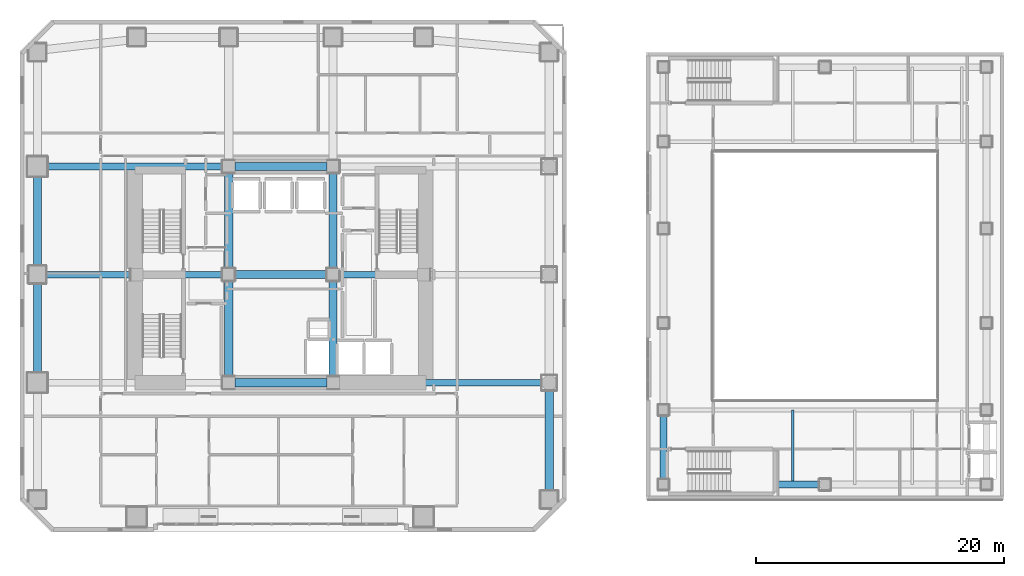
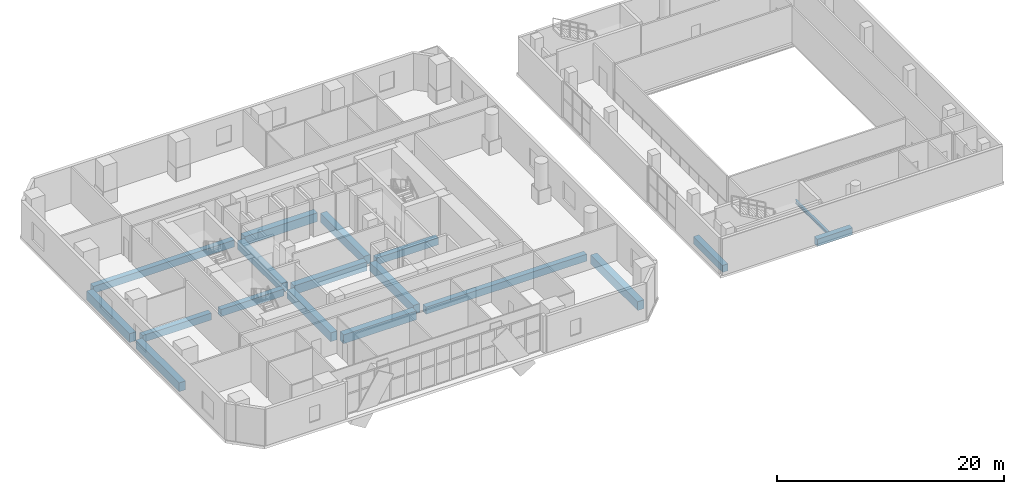
# One storey, part 5 of 20: 18 beams.
"""IFC4 building model written with IfcOpenShell, lengths in metres."""

from ifc_helpers import new_model, si_unit, direction, frame, origin, origin_2d, place, context, subcontext, project, spatial, rectangle, i_section, extrude, material, material_profile, profile_set, type_object, element, save


model = new_model("IFC4")

# Units and contexts
model_context = context("Model", 3, precision=1e-05, world=origin(), true_north=direction((0.0, 1.0)))
body_context = subcontext(model_context, "Body", "Model", "MODEL_VIEW")
ifc_project = project(units=[si_unit("LENGTHUNIT", "METRE"), si_unit("AREAUNIT", "SQUARE_METRE"), si_unit("VOLUMEUNIT", "CUBIC_METRE"), si_unit("PLANEANGLEUNIT", "RADIAN"), si_unit("MASSUNIT", "GRAM", prefix="KILO")], contexts=[model_context])

# Site, building, storey
site_placement = place(None, origin())
site = spatial("IfcSite", under=ifc_project, at=site_placement, CompositionType="ELEMENT")
building_placement = place(site_placement, origin())
building = spatial("IfcBuilding", under=site, at=building_placement, Name="Solanera Arch Residences", CompositionType="ELEMENT")
storey_placement = place(building_placement, frame((0.0, 0.0, 9.39990234375)))
storey = spatial("IfcBuildingStorey", under=building, at=storey_placement, Name="L02", CompositionType="ELEMENT", Elevation=9.39990234375)

# Beams
ifc_material_1 = material(Name="Concrete C40/50 (f'c = 45 MPa)", Category="concrete")
ifc_material_profile_1 = material_profile(ifc_material_1, rectangle(XDim=0.550048828125, YDim=0.75, at=origin_2d()))
ifc_profile_set_1 = profile_set([ifc_material_profile_1], Name="Concrete C40/50 (f'c = 45 MPa)")
beam_type_1 = type_object("IfcBeamType", Name="Primary Beam RC-BM-550X750", PredefinedType="BEAM", material=ifc_profile_set_1)
beam_1_placement = place(storey_placement, frame((29.7041015625, 22.0, -0.65478515625), z_axis=(1.0, 0.0, 0.0), x_axis=(0.0, 1.0, 0.0)))
element("IfcBeam", 1, at=beam_1_placement, inside=storey, type_object=beam_type_1, Name="BM-L02-POD-RE-22", PredefinedType="BEAM", context=body_context, shape_type="SweptSolid", body=[
    extrude(rectangle(XDim=0.550048828125, YDim=0.75, at=origin_2d()), origin(), (0.0, 0.0, 1.0), 16.35595703125),
])
beam_2_placement = place(storey_placement, frame((5.93994140625, 30.699951171875, -0.65478515625), z_axis=(1.0, 0.0, 0.0), x_axis=(0.0, 1.0, 0.0)))
element("IfcBeam", 2, at=beam_2_placement, inside=storey, type_object=beam_type_1, Name="BM-L02-POD-RW-30", PredefinedType="BEAM", context=body_context, shape_type="SweptSolid", body=[
    extrude(rectangle(XDim=0.550048828125, YDim=0.75, at=origin_2d()), origin(), (0.0, 0.0, 1.0), 6.9560546875),
])
beam_3_placement = place(storey_placement, frame((5.93994140625, 39.39990234375, -0.65478515625), z_axis=(1.0, 0.0, 0.0), x_axis=(0.0, 1.0, 0.0)))
element("IfcBeam", 3, at=beam_3_placement, inside=storey, type_object=beam_type_1, Name="BM-L02-POD-RW-39", PredefinedType="BEAM", context=body_context, shape_type="SweptSolid", body=[
    extrude(rectangle(XDim=0.550048828125, YDim=0.75, at=origin_2d()), origin(), (0.0, 0.0, 1.0), 14.35595703125),
])
beam_4_placement = place(storey_placement, frame((13.904052734375, 30.699951171875, -0.65478515625), z_axis=(1.0, 0.0, 0.0), x_axis=(0.0, 1.0, 0.0)))
element("IfcBeam", 4, at=beam_4_placement, inside=storey, type_object=beam_type_1, Name="BM-L02-HCCW", PredefinedType="BEAM", context=body_context, shape_type="SweptSolid", body=[
    extrude(rectangle(XDim=0.550048828125, YDim=0.75, at=origin_2d()), origin(), (0.0, 0.0, 1.0), 6.391845703125),
])
beam_5_placement = place(storey_placement, frame((29.7041015625, 30.699951171875, -0.65478515625), z_axis=(1.0, 0.0, 0.0), x_axis=(0.0, 1.0, 0.0)))
element("IfcBeam", 5, at=beam_5_placement, inside=storey, type_object=beam_type_1, Name="BM-L02-HCCE", PredefinedType="BEAM", context=body_context, shape_type="SweptSolid", body=[
    extrude(rectangle(XDim=0.550048828125, YDim=0.75, at=origin_2d()), origin(), (0.0, 0.0, 1.0), 6.2919921875),
])
beam_6_placement = place(storey_placement, frame((55.800048828125, 14.22509765625, -0.65478515625), z_axis=(0.0, 1.0, 0.0), x_axis=(-1.0, 0.0, 0.0)))
element("IfcBeam", 6, at=beam_6_placement, inside=storey, type_object=beam_type_1, Name="BM-L02-HW-1", PredefinedType="BEAM", context=body_context, shape_type="SweptSolid", body=[
    extrude(rectangle(XDim=0.550048828125, YDim=0.75, at=origin_2d()), origin(), (0.0, 0.0, 1.0), 5.14990234375),
])
beam_7_placement = place(storey_placement, frame((64.760009765625, 13.800048828125, -0.65478515625), z_axis=(1.0, 0.0, 0.0), x_axis=(0.0, 1.0, 0.0)))
element("IfcBeam", 7, at=beam_7_placement, inside=storey, type_object=beam_type_1, Name="BM-L02-HS-1", PredefinedType="BEAM", context=body_context, shape_type="SweptSolid", body=[
    extrude(rectangle(XDim=0.550048828125, YDim=0.75, at=origin_2d()), origin(), (0.0, 0.0, 1.0), 3.590087890625),
])
ifc_material_2 = material(Name="Concrete C40/50 (f'c = 45 MPa)", Category="concrete")
ifc_material_profile_2 = material_profile(ifc_material_2, rectangle(XDim=0.64990234375, YDim=0.949951171875, at=origin_2d()))
ifc_profile_set_2 = profile_set([ifc_material_profile_2], Name="Concrete C40/50 (f'c = 45 MPa)")
beam_type_2 = type_object("IfcBeamType", Name="Primary Beam RC-BM-650X950", PredefinedType="BEAM", material=ifc_profile_set_2)
beam_8_placement = place(storey_placement, frame((5.39990234375, 22.5400390625, -0.7548828125), z_axis=(0.0, 1.0, 0.0), x_axis=(-1.0, 0.0, 0.0)))
element("IfcBeam", 8, at=beam_8_placement, inside=storey, type_object=beam_type_2, Name="BM-L02-POD-W2", PredefinedType="BEAM", context=body_context, shape_type="SweptSolid", body=[
    extrude(rectangle(XDim=0.64990234375, YDim=0.949951171875, at=origin_2d()), origin(), (0.0, 0.0, 1.0), 7.619873046875),
])
beam_9_placement = place(storey_placement, frame((5.39990234375, 31.239990234375, -0.7548828125), z_axis=(0.0, 1.0, 0.0), x_axis=(-1.0, 0.0, 0.0)))
element("IfcBeam", 9, at=beam_9_placement, inside=storey, type_object=beam_type_2, Name="BM-L02-POD-W3", PredefinedType="BEAM", context=body_context, shape_type="SweptSolid", body=[
    extrude(rectangle(XDim=0.64990234375, YDim=0.949951171875, at=origin_2d()), origin(), (0.0, 0.0, 1.0), 7.6201171875),
])
beam_10_placement = place(storey_placement, frame((46.60009765625, 13.139892578125, -0.7548828125), z_axis=(0.0, 1.0, 0.0), x_axis=(-1.0, 0.0, 0.0)))
element("IfcBeam", 10, at=beam_10_placement, inside=storey, type_object=beam_type_2, Name="BM-L02-POD-E1", PredefinedType="BEAM", context=body_context, shape_type="SweptSolid", body=[
    extrude(rectangle(XDim=0.64990234375, YDim=0.949951171875, at=origin_2d()), origin(), (0.0, 0.0, 1.0), 8.320068359375),
])
beam_11_placement = place(storey_placement, frame((20.800048828125, 22.50390625, -0.7548828125), z_axis=(0.0, 1.0, 0.0), x_axis=(-1.0, 0.0, 0.0)))
element("IfcBeam", 11, at=beam_11_placement, inside=storey, type_object=beam_type_2, Name="BM-L02-HCNS-20", PredefinedType="BEAM", context=body_context, shape_type="SweptSolid", body=[
    extrude(rectangle(XDim=0.64990234375, YDim=0.949951171875, at=origin_2d()), origin(), (0.0, 0.0, 1.0), 7.692138671875),
])
beam_12_placement = place(storey_placement, frame((20.800048828125, 31.2041015625, -0.7548828125), z_axis=(0.0, 1.0, 0.0), x_axis=(-1.0, 0.0, 0.0)))
element("IfcBeam", 12, at=beam_12_placement, inside=storey, type_object=beam_type_2, Name="BM-L02-HCNN-20", PredefinedType="BEAM", context=body_context, shape_type="SweptSolid", body=[
    extrude(rectangle(XDim=0.64990234375, YDim=0.949951171875, at=origin_2d()), origin(), (0.0, 0.0, 1.0), 7.69189453125),
])
beam_13_placement = place(storey_placement, frame((29.199951171875, 22.50390625, -0.7548828125), z_axis=(0.0, 1.0, 0.0), x_axis=(-1.0, 0.0, 0.0)))
element("IfcBeam", 13, at=beam_13_placement, inside=storey, type_object=beam_type_2, Name="BM-L02-HCNS-29", PredefinedType="BEAM", context=body_context, shape_type="SweptSolid", body=[
    extrude(rectangle(XDim=0.64990234375, YDim=0.949951171875, at=origin_2d()), origin(), (0.0, 0.0, 1.0), 7.692138671875),
])
beam_14_placement = place(storey_placement, frame((29.199951171875, 31.2041015625, -0.7548828125), z_axis=(0.0, 1.0, 0.0), x_axis=(-1.0, 0.0, 0.0)))
element("IfcBeam", 14, at=beam_14_placement, inside=storey, type_object=beam_type_2, Name="BM-L02-HCNN-29", PredefinedType="BEAM", context=body_context, shape_type="SweptSolid", body=[
    extrude(rectangle(XDim=0.64990234375, YDim=0.949951171875, at=origin_2d()), origin(), (0.0, 0.0, 1.0), 7.69189453125),
])
for number, where, z_axis, x_axis, name in (
    (15, (21.303955078125, 22.0, -0.7548828125), (1.0, 0.0, 0.0), (0.0, 1.0, 0.0), "BM-L02-HCEW-22"),
    (16, (21.303955078125, 30.699951171875, -0.7548828125), (1.0, 0.0, 0.0), (0.0, 1.0, 0.0), "BM-L02-HCEW-30"),
    (17, (21.303955078125, 39.39990234375, -0.7548828125), (1.0, 0.0, 0.0), (0.0, 1.0, 0.0), "BM-L02-HCEW-39"),
):
    element("IfcBeam", number, at=place(storey_placement, frame(where, z_axis=z_axis, x_axis=x_axis)), inside=storey, type_object=beam_type_2, Name=name, PredefinedType="BEAM", context=body_context, shape_type="SweptSolid", body=[
        extrude(rectangle(XDim=0.64990234375, YDim=0.949951171875, at=origin_2d()), origin(), (0.0, 0.0, 1.0), 7.39208984375),
    ])
ifc_material_3 = material(Name="Steel S355 (ASTM A992 / A572 Grade 50)", Category="steel")
ifc_material_profile_3 = material_profile(ifc_material_3, i_section(OverallWidth=0.205078125, OverallDepth=0.35400390625, WebThickness=0.009521484375, FlangeThickness=0.016845703125, at=origin_2d()))
ifc_profile_set_3 = profile_set([ifc_material_profile_3], Name="Steel S355 (ASTM A992 / A572 Grade 50)")
beam_type_3 = type_object("IfcBeamType", Name="Secondary Joist W360X79", PredefinedType="JOIST", material=ifc_profile_set_3)
beam_15_placement = place(storey_placement, frame((66.199951171875, 13.800048828125, -0.456787109375), z_axis=(0.0, 1.0, 0.0), x_axis=(-1.0, 0.0, 0.0)))
element("IfcBeam", 18, at=beam_15_placement, inside=storey, type_object=beam_type_3, Name="BM-L02-HJS-66", PredefinedType="JOIST", context=body_context, shape_type="SweptSolid", body=[
    extrude(i_section(OverallWidth=0.205078125, OverallDepth=0.35400390625, WebThickness=0.009521484375, FlangeThickness=0.016845703125, at=origin_2d()), origin(), (0.0, 0.0, 1.0), 6.0),
])

save(model, "model.ifc")
